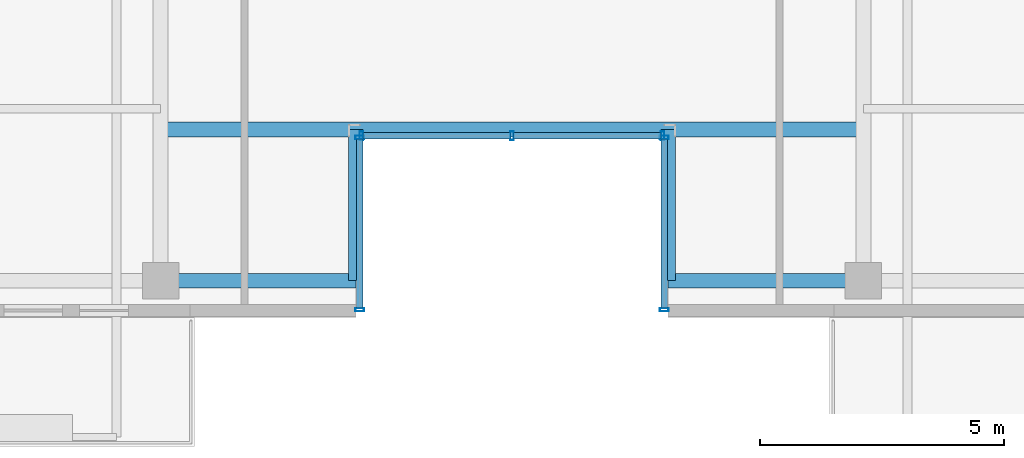
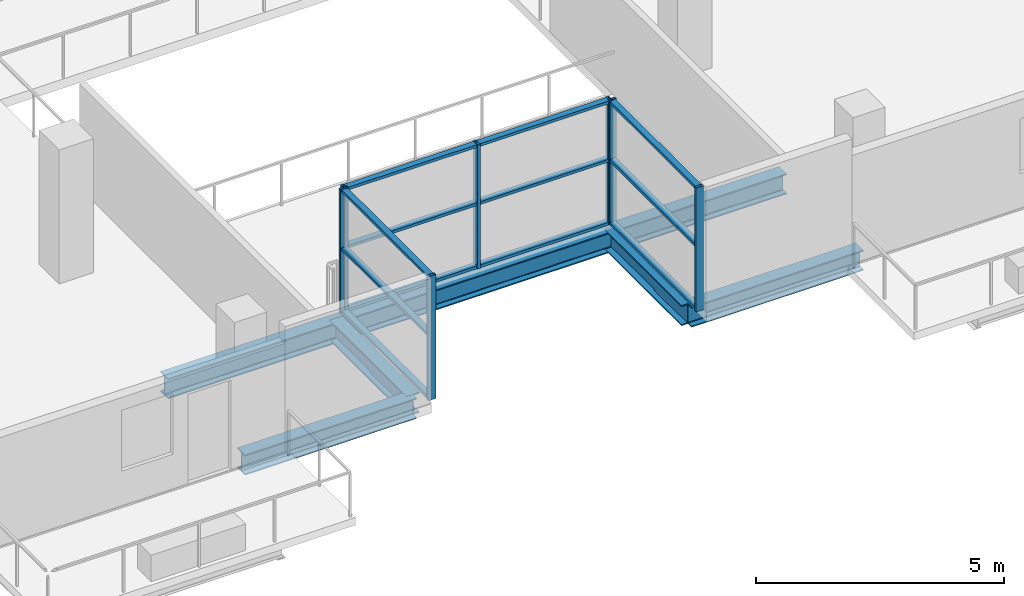
# One storey, part 5 of 21: 19 members, 5 beams, 3 elements without a shape of their own.
"""IFC4 building model written with IfcOpenShell, lengths in metres."""

from ifc_helpers import new_model, si_unit, direction, frame, origin, origin_2d, place, context, subcontext, project, spatial, hollow_rectangle, i_section, extrude, source, transform, mapped, material, layer, layer_set, material_profile, profile_set, type_object, element, aggregate, save


model = new_model("IFC4")

# Units and contexts
model_context = context("Model", 3, precision=1e-05, world=origin(), true_north=direction((0.0, 1.0)))
body_context = subcontext(model_context, "Body", "Model", "MODEL_VIEW")
ifc_project = project(units=[si_unit("LENGTHUNIT", "METRE"), si_unit("AREAUNIT", "SQUARE_METRE"), si_unit("VOLUMEUNIT", "CUBIC_METRE"), si_unit("PLANEANGLEUNIT", "RADIAN"), si_unit("MASSUNIT", "GRAM", prefix="KILO")], contexts=[model_context])

# Site, building, storey
site_placement = place(None, origin())
site = spatial("IfcSite", under=ifc_project, at=site_placement, CompositionType="ELEMENT")
building_placement = place(site_placement, origin())
building = spatial("IfcBuilding", under=site, at=building_placement, Name="Zarnakvel Exchange Tower", CompositionType="ELEMENT")
storey_placement = place(building_placement, frame((0.0, 0.0, 182.5)))
storey = spatial("IfcBuildingStorey", under=building, at=storey_placement, Name="L51", CompositionType="ELEMENT", Elevation=182.5)

# Beams
ifc_material_1 = material(Name="Steel S355", Category="steel")
ifc_material_profile_1 = material_profile(ifc_material_1, i_section(OverallWidth=0.300048828125, OverallDepth=0.5, WebThickness=0.014404296875, FlangeThickness=0.028076171875, FilletRadius=0.027099609375, at=origin_2d()))
ifc_profile_set_1 = profile_set([ifc_material_profile_1], Name="Steel S355")
beam_type_1 = type_object("IfcBeamType", Name="G-06", PredefinedType="BEAM", material=ifc_profile_set_1)
for number, where, z_axis, x_axis, name in (
    (1, (-3.199951171875, -16.64990234375, -0.47509765625), (0.0, 1.0, 0.0), (-1.0, 0.0, 0.0), "L51 South Slot West Cheek Beam"),
    (2, (3.199951171875, -16.64990234375, -0.47509765625), (0.0, 1.0, 0.0), (-1.0, 0.0, 0.0), "L51 South Slot East Cheek Beam"),
):
    element("IfcBeam", number, at=place(storey_placement, frame(where, z_axis=z_axis, x_axis=x_axis)), inside=storey, type_object=beam_type_1, Name=name, PredefinedType="BEAM", context=body_context, shape_type="SweptSolid", body=[
        extrude(i_section(OverallWidth=0.300048828125, OverallDepth=0.5, WebThickness=0.014404296875, FlangeThickness=0.028076171875, FilletRadius=0.027099609375, at=origin_2d()), origin(), (0.0, 0.0, 1.0), 3.099853515625),
    ])
ifc_material_profile_2 = material_profile(ifc_material_1, i_section(OverallWidth=0.300048828125, OverallDepth=0.5, WebThickness=0.014404296875, FlangeThickness=0.028076171875, FilletRadius=0.027099609375, at=origin_2d()))
ifc_profile_set_2 = profile_set([ifc_material_profile_2], Name="Steel S355")
beam_type_2 = type_object("IfcBeamType", Name="SP-02", PredefinedType="SPANDREL", material=ifc_profile_set_2)
for number, where, z_axis, x_axis, name in (
    (3, (-7.199951171875, -16.64990234375, -0.47509765625), (1.0, 0.0, 0.0), (0.0, 1.0, 0.0), "L51 South Slot West Jamb Spandrel"),
    (4, (3.199951171875, -16.64990234375, -0.47509765625), (1.0, 0.0, 0.0), (0.0, 1.0, 0.0), "L51 South Slot East Jamb Spandrel"),
):
    element("IfcBeam", number, at=place(storey_placement, frame(where, z_axis=z_axis, x_axis=x_axis)), inside=storey, type_object=beam_type_2, Name=name, PredefinedType="SPANDREL", context=body_context, shape_type="SweptSolid", body=[
        extrude(i_section(OverallWidth=0.300048828125, OverallDepth=0.5, WebThickness=0.014404296875, FlangeThickness=0.028076171875, FilletRadius=0.027099609375, at=origin_2d()), origin(), (0.0, 0.0, 1.0), 4.0),
    ])
beam_placement = place(storey_placement, frame((-7.199951171875, -13.550048828125, -0.47509765625), z_axis=(1.0, 0.0, 0.0), x_axis=(0.0, 1.0, 0.0)))
element("IfcBeam", 5, at=beam_placement, inside=storey, type_object=beam_type_2, Name="L51 South Slot Head Trimmer Girder", PredefinedType="SPANDREL", context=body_context, shape_type="SweptSolid", body=[
    extrude(i_section(OverallWidth=0.300048828125, OverallDepth=0.5, WebThickness=0.014404296875, FlangeThickness=0.028076171875, FilletRadius=0.027099609375, at=origin_2d()), origin(), (0.0, 0.0, 1.0), 14.39990234375),
])

# Curtain wall, members
ifc_material_2 = material(Name="Architectural Bronze Anodised Aluminium", Category="aluminium")
ifc_layer = layer(ifc_material_2, 0.179931640625)
ifc_layer_set = layer_set([ifc_layer], Name="Architectural Bronze Anodised Aluminium")
curtain_wall_type = type_object("IfcCurtainWallType", Name="CW-05", PredefinedType="NOTDEFINED", material=ifc_layer_set)
curtain_wall_1_placement = place(storey_placement, origin())
curtain_wall_1 = element("IfcCurtainWall", 6, at=curtain_wall_1_placement, inside=storey, type_object=curtain_wall_type, Name="L51 Curtain Wall CW-L51-SLW (CW-05)", PredefinedType="NOTDEFINED")
ifc_material_profile_3 = material_profile(ifc_material_2, hollow_rectangle(XDim=0.139892578125, YDim=0.070068359375, WallThickness=0.00390625, at=origin_2d()))
ifc_profile_set_3 = profile_set([ifc_material_profile_3], Name="Architectural Bronze Anodised Aluminium")
member_type_1 = type_object("IfcMemberType", Name="CWT-05", PredefinedType="USERDEFINED", material=ifc_profile_set_3)
shared_shape_1 = source(origin(), body_context, "Body", "SweptSolid", [
    extrude(hollow_rectangle(XDim=0.139892578125, YDim=0.070068359375, WallThickness=0.00390625, at=origin_2d()), origin(), (0.0, 0.0, 1.0), 3.4599609375),
])
member_1_placement = place(storey_placement, frame((-3.1201171875, -17.2099609375, 0.034912109375), z_axis=(0.0, 1.0, 0.0), x_axis=(-1.0, 0.0, 0.0)))
member_1 = element("IfcMember", 7, at=member_1_placement, type_object=member_type_1, Name="CW-05 transom 1.1", ObjectType="TRANSOM", PredefinedType="USERDEFINED", context=body_context, shape_type="MappedRepresentation", body=[
    mapped(shared_shape_1, transform((0.0, 0.0, 0.0), x_axis=(1.0, 0.0, 0.0), y_axis=(0.0, 1.0, 0.0), z_axis=(0.0, 0.0, 1.0), scale=1.0)),
])
member_2_placement = place(storey_placement, frame((-3.1201171875, -17.2099609375, 1.588623046875), z_axis=(0.0, 1.0, 0.0), x_axis=(-1.0, 0.0, 0.0)))
member_2 = element("IfcMember", 8, at=member_2_placement, type_object=member_type_1, Name="CW-05 transom 1.2", ObjectType="TRANSOM", PredefinedType="USERDEFINED", context=body_context, shape_type="MappedRepresentation", body=[
    mapped(shared_shape_1, transform((0.0, 0.0, 0.0), x_axis=(1.0, 0.0, 0.0), y_axis=(0.0, 1.0, 0.0), z_axis=(0.0, 0.0, 1.0), scale=1.0)),
])
member_3_placement = place(storey_placement, frame((-3.1201171875, -17.2099609375, 3.02001953125), z_axis=(0.0, 1.0, 0.0), x_axis=(-1.0, 0.0, 0.0)))
member_3 = element("IfcMember", 9, at=member_3_placement, type_object=member_type_1, Name="CW-05 transom 1.3", ObjectType="TRANSOM", PredefinedType="USERDEFINED", context=body_context, shape_type="MappedRepresentation", body=[
    mapped(shared_shape_1, transform((0.0, 0.0, 0.0), x_axis=(1.0, 0.0, 0.0), y_axis=(0.0, 1.0, 0.0), z_axis=(0.0, 0.0, 1.0), scale=1.0)),
])

curtain_wall_2_placement = place(storey_placement, origin())
curtain_wall_2 = element("IfcCurtainWall", 10, at=curtain_wall_2_placement, inside=storey, type_object=curtain_wall_type, Name="L51 Curtain Wall CW-L51-SLE (CW-05)", PredefinedType="NOTDEFINED")
member_4_placement = place(storey_placement, frame((3.1201171875, -13.75, 0.034912109375), z_axis=(0.0, -1.0, 0.0), x_axis=(1.0, 0.0, 0.0)))
member_4 = element("IfcMember", 11, at=member_4_placement, type_object=member_type_1, Name="CW-05 transom 1.1", ObjectType="TRANSOM", PredefinedType="USERDEFINED", context=body_context, shape_type="MappedRepresentation", body=[
    mapped(shared_shape_1, transform((0.0, 0.0, 0.0), x_axis=(1.0, 0.0, 0.0), y_axis=(0.0, 1.0, 0.0), z_axis=(0.0, 0.0, 1.0), scale=1.0)),
])
member_5_placement = place(storey_placement, frame((3.1201171875, -13.75, 1.588623046875), z_axis=(0.0, -1.0, 0.0), x_axis=(1.0, 0.0, 0.0)))
member_5 = element("IfcMember", 12, at=member_5_placement, type_object=member_type_1, Name="CW-05 transom 1.2", ObjectType="TRANSOM", PredefinedType="USERDEFINED", context=body_context, shape_type="MappedRepresentation", body=[
    mapped(shared_shape_1, transform((0.0, 0.0, 0.0), x_axis=(1.0, 0.0, 0.0), y_axis=(0.0, 1.0, 0.0), z_axis=(0.0, 0.0, 1.0), scale=1.0)),
])
member_6_placement = place(storey_placement, frame((3.1201171875, -13.75, 3.02001953125), z_axis=(0.0, -1.0, 0.0), x_axis=(1.0, 0.0, 0.0)))
member_6 = element("IfcMember", 13, at=member_6_placement, type_object=member_type_1, Name="CW-05 transom 1.3", ObjectType="TRANSOM", PredefinedType="USERDEFINED", context=body_context, shape_type="MappedRepresentation", body=[
    mapped(shared_shape_1, transform((0.0, 0.0, 0.0), x_axis=(1.0, 0.0, 0.0), y_axis=(0.0, 1.0, 0.0), z_axis=(0.0, 0.0, 1.0), scale=1.0)),
])

curtain_wall_3_placement = place(storey_placement, origin())
curtain_wall_3 = element("IfcCurtainWall", 14, at=curtain_wall_3_placement, inside=storey, type_object=curtain_wall_type, Name="L51 Curtain Wall CW-L51-SLB (CW-05)", PredefinedType="NOTDEFINED")
shared_shape_2 = source(origin(), body_context, "Body", "SweptSolid", [
    extrude(hollow_rectangle(XDim=0.139892578125, YDim=0.070068359375, WallThickness=0.00390625, at=origin_2d()), origin(), (0.0, 0.0, 1.0), 3.01513671875),
])
member_7_placement = place(storey_placement, frame((-3.050048828125, -13.679931640625, 0.034912109375), z_axis=(1.0, 0.0, 0.0), x_axis=(0.0, 1.0, 0.0)))
member_7 = element("IfcMember", 15, at=member_7_placement, type_object=member_type_1, Name="CW-05 transom 1.1", ObjectType="TRANSOM", PredefinedType="USERDEFINED", context=body_context, shape_type="MappedRepresentation", body=[
    mapped(shared_shape_2, transform((0.0, 0.0, 0.0), x_axis=(1.0, 0.0, 0.0), y_axis=(0.0, 1.0, 0.0), z_axis=(0.0, 0.0, 1.0), scale=1.0)),
])
member_8_placement = place(storey_placement, frame((-3.050048828125, -13.679931640625, 1.588623046875), z_axis=(1.0, 0.0, 0.0), x_axis=(0.0, 1.0, 0.0)))
member_8 = element("IfcMember", 16, at=member_8_placement, type_object=member_type_1, Name="CW-05 transom 1.2", ObjectType="TRANSOM", PredefinedType="USERDEFINED", context=body_context, shape_type="MappedRepresentation", body=[
    mapped(shared_shape_2, transform((0.0, 0.0, 0.0), x_axis=(1.0, 0.0, 0.0), y_axis=(0.0, 1.0, 0.0), z_axis=(0.0, 0.0, 1.0), scale=1.0)),
])
member_9_placement = place(storey_placement, frame((-3.050048828125, -13.679931640625, 3.02001953125), z_axis=(1.0, 0.0, 0.0), x_axis=(0.0, 1.0, 0.0)))
member_9 = element("IfcMember", 17, at=member_9_placement, type_object=member_type_1, Name="CW-05 transom 1.3", ObjectType="TRANSOM", PredefinedType="USERDEFINED", context=body_context, shape_type="MappedRepresentation", body=[
    mapped(shared_shape_2, transform((0.0, 0.0, 0.0), x_axis=(1.0, 0.0, 0.0), y_axis=(0.0, 1.0, 0.0), z_axis=(0.0, 0.0, 1.0), scale=1.0)),
])
member_10_placement = place(storey_placement, frame((0.034912109375, -13.679931640625, 0.034912109375), z_axis=(1.0, 0.0, 0.0), x_axis=(0.0, 1.0, 0.0)))
member_10 = element("IfcMember", 18, at=member_10_placement, type_object=member_type_1, Name="CW-05 transom 2.1", ObjectType="TRANSOM", PredefinedType="USERDEFINED", context=body_context, shape_type="MappedRepresentation", body=[
    mapped(shared_shape_2, transform((0.0, 0.0, 0.0), x_axis=(1.0, 0.0, 0.0), y_axis=(0.0, 1.0, 0.0), z_axis=(0.0, 0.0, 1.0), scale=1.0)),
])
member_11_placement = place(storey_placement, frame((0.034912109375, -13.679931640625, 1.588623046875), z_axis=(1.0, 0.0, 0.0), x_axis=(0.0, 1.0, 0.0)))
member_11 = element("IfcMember", 19, at=member_11_placement, type_object=member_type_1, Name="CW-05 transom 2.2", ObjectType="TRANSOM", PredefinedType="USERDEFINED", context=body_context, shape_type="MappedRepresentation", body=[
    mapped(shared_shape_2, transform((0.0, 0.0, 0.0), x_axis=(1.0, 0.0, 0.0), y_axis=(0.0, 1.0, 0.0), z_axis=(0.0, 0.0, 1.0), scale=1.0)),
])
member_12_placement = place(storey_placement, frame((0.034912109375, -13.679931640625, 3.02001953125), z_axis=(1.0, 0.0, 0.0), x_axis=(0.0, 1.0, 0.0)))
member_12 = element("IfcMember", 20, at=member_12_placement, type_object=member_type_1, Name="CW-05 transom 2.3", ObjectType="TRANSOM", PredefinedType="USERDEFINED", context=body_context, shape_type="MappedRepresentation", body=[
    mapped(shared_shape_2, transform((0.0, 0.0, 0.0), x_axis=(1.0, 0.0, 0.0), y_axis=(0.0, 1.0, 0.0), z_axis=(0.0, 0.0, 1.0), scale=1.0)),
])

# Member
ifc_material_profile_4 = material_profile(ifc_material_2, hollow_rectangle(XDim=0.179931640625, YDim=0.070068359375, WallThickness=0.00390625, at=origin_2d()))
ifc_profile_set_4 = profile_set([ifc_material_profile_4], Name="Architectural Bronze Anodised Aluminium")
member_type_2 = type_object("IfcMemberType", Name="CWM-05", PredefinedType="MULLION", material=ifc_profile_set_4)
shared_shape_3 = source(origin(), body_context, "Body", "SweptSolid", [
    extrude(hollow_rectangle(XDim=0.179931640625, YDim=0.070068359375, WallThickness=0.00390625, at=origin_2d()), origin(), (0.0, 0.0, 1.0), 3.054931640625),
])
member_13_placement = place(storey_placement, frame((-3.1201171875, -17.2451171875, 0.0), z_axis=(0.0, 0.0, 1.0), x_axis=(-1.0, 0.0, 0.0)))
member_13 = element("IfcMember", 21, at=member_13_placement, type_object=member_type_2, Name="CW-05 mullion 1", PredefinedType="MULLION", context=body_context, shape_type="MappedRepresentation", body=[
    mapped(shared_shape_3, transform((0.0, 0.0, 0.0), x_axis=(1.0, 0.0, 0.0), y_axis=(0.0, 1.0, 0.0), z_axis=(0.0, 0.0, 1.0), scale=1.0)),
])

member_14_placement = place(storey_placement, frame((-3.1201171875, -13.715087890625, 0.0), z_axis=(0.0, 0.0, 1.0), x_axis=(-1.0, 0.0, 0.0)))
member_14 = element("IfcMember", 22, at=member_14_placement, type_object=member_type_2, Name="CW-05 mullion 2", PredefinedType="MULLION", context=body_context, shape_type="MappedRepresentation", body=[
    mapped(shared_shape_3, transform((0.0, 0.0, 0.0), x_axis=(1.0, 0.0, 0.0), y_axis=(0.0, 1.0, 0.0), z_axis=(0.0, 0.0, 1.0), scale=1.0)),
])

aggregate(curtain_wall_1, [member_13, member_14, member_1, member_2, member_3])

member_15_placement = place(storey_placement, frame((-3.0849609375, -13.679931640625, 0.0), z_axis=(0.0, 0.0, 1.0), x_axis=(0.0, 1.0, 0.0)))
member_15 = element("IfcMember", 23, at=member_15_placement, type_object=member_type_2, Name="CW-05 mullion 1", PredefinedType="MULLION", context=body_context, shape_type="MappedRepresentation", body=[
    mapped(shared_shape_3, transform((0.0, 0.0, 0.0), x_axis=(1.0, 0.0, 0.0), y_axis=(0.0, 1.0, 0.0), z_axis=(0.0, 0.0, 1.0), scale=1.0)),
])

member_16_placement = place(storey_placement, frame((0.0, -13.679931640625, 0.0), z_axis=(0.0, 0.0, 1.0), x_axis=(0.0, 1.0, 0.0)))
member_16 = element("IfcMember", 24, at=member_16_placement, type_object=member_type_2, Name="CW-05 mullion 2", PredefinedType="MULLION", context=body_context, shape_type="MappedRepresentation", body=[
    mapped(shared_shape_3, transform((0.0, 0.0, 0.0), x_axis=(1.0, 0.0, 0.0), y_axis=(0.0, 1.0, 0.0), z_axis=(0.0, 0.0, 1.0), scale=1.0)),
])

member_17_placement = place(storey_placement, frame((3.0849609375, -13.679931640625, 0.0), z_axis=(0.0, 0.0, 1.0), x_axis=(0.0, 1.0, 0.0)))
member_17 = element("IfcMember", 25, at=member_17_placement, type_object=member_type_2, Name="CW-05 mullion 3", PredefinedType="MULLION", context=body_context, shape_type="MappedRepresentation", body=[
    mapped(shared_shape_3, transform((0.0, 0.0, 0.0), x_axis=(1.0, 0.0, 0.0), y_axis=(0.0, 1.0, 0.0), z_axis=(0.0, 0.0, 1.0), scale=1.0)),
])

aggregate(curtain_wall_3, [member_15, member_16, member_17, member_7, member_8, member_9, member_10, member_11, member_12])

member_18_placement = place(storey_placement, frame((3.1201171875, -13.715087890625, 0.0), z_axis=(0.0, 0.0, 1.0), x_axis=(1.0, 0.0, 0.0)))
member_18 = element("IfcMember", 26, at=member_18_placement, type_object=member_type_2, Name="CW-05 mullion 1", PredefinedType="MULLION", context=body_context, shape_type="MappedRepresentation", body=[
    mapped(shared_shape_3, transform((0.0, 0.0, 0.0), x_axis=(1.0, 0.0, 0.0), y_axis=(0.0, 1.0, 0.0), z_axis=(0.0, 0.0, 1.0), scale=1.0)),
])

member_19_placement = place(storey_placement, frame((3.1201171875, -17.2451171875, 0.0), z_axis=(0.0, 0.0, 1.0), x_axis=(1.0, 0.0, 0.0)))
member_19 = element("IfcMember", 27, at=member_19_placement, type_object=member_type_2, Name="CW-05 mullion 2", PredefinedType="MULLION", context=body_context, shape_type="MappedRepresentation", body=[
    mapped(shared_shape_3, transform((0.0, 0.0, 0.0), x_axis=(1.0, 0.0, 0.0), y_axis=(0.0, 1.0, 0.0), z_axis=(0.0, 0.0, 1.0), scale=1.0)),
])

aggregate(curtain_wall_2, [member_18, member_19, member_4, member_5, member_6])

save(model, "model.ifc")
